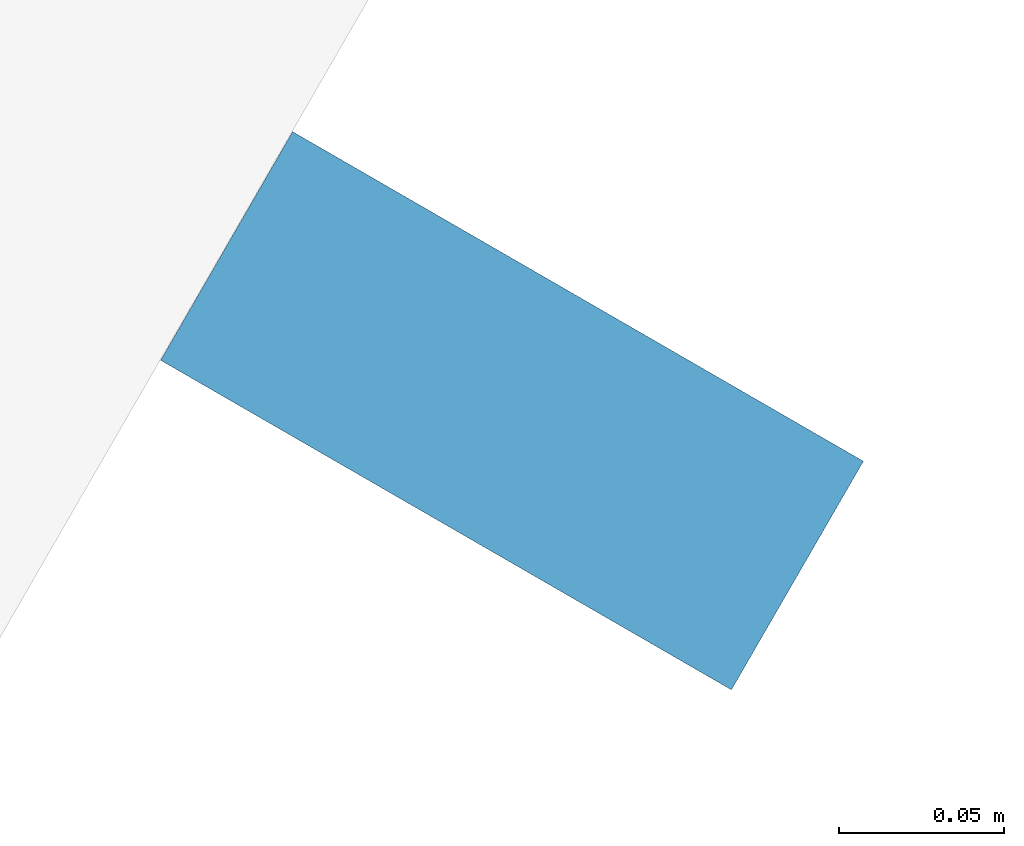
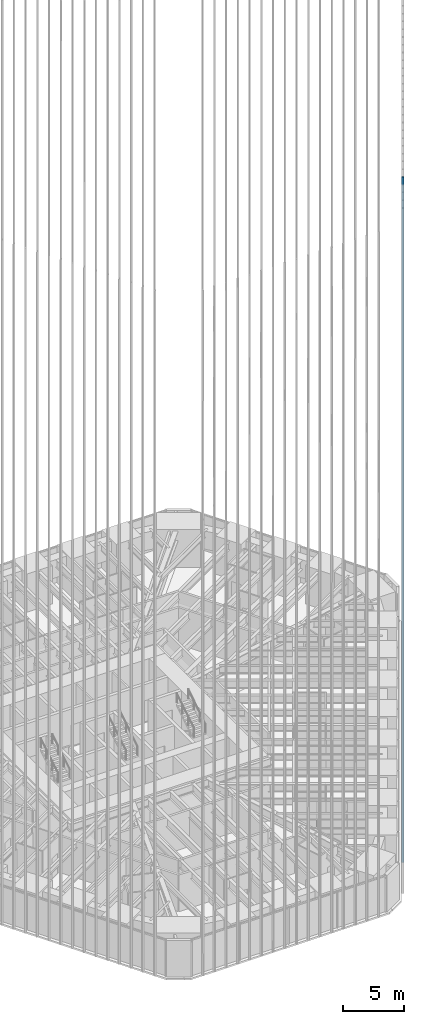
# One storey, part 86 of 256: 1 member, 1 element without a shape of its own.
"""IFC4 building model written with IfcOpenShell, lengths in metres."""

from ifc_helpers import new_model, si_unit, direction, frame, origin, origin_2d, place, context, subcontext, project, spatial, rectangle, extrude, material, material_profile, profile_set, type_object, element, aggregate, save


model = new_model("IFC4")

# Units and contexts
model_context = context("Model", 3, precision=1e-05, world=origin(), true_north=direction((0.0, 1.0)))
body_context = subcontext(model_context, "Body", "Model", "MODEL_VIEW")
ifc_project = project(units=[si_unit("LENGTHUNIT", "METRE"), si_unit("AREAUNIT", "SQUARE_METRE"), si_unit("VOLUMEUNIT", "CUBIC_METRE"), si_unit("PLANEANGLEUNIT", "RADIAN"), si_unit("MASSUNIT", "GRAM", prefix="KILO")], contexts=[model_context])

# Site, building, storey
site_placement = place(None, origin())
site = spatial("IfcSite", under=ifc_project, at=site_placement, CompositionType="ELEMENT")
building_placement = place(site_placement, origin())
building = spatial("IfcBuilding", under=site, at=building_placement, Name="Sandreach Pilgrim Tower", CompositionType="ELEMENT")
storey_placement = place(building_placement, frame((0.0, 0.0, 23.0)))
storey = spatial("IfcBuildingStorey", under=building, at=storey_placement, Name="L04", CompositionType="ELEMENT", Elevation=23.0)

# Curtain wall, member
ifc_material_1 = material(Name="Aluminium framed curtain wall", Category="aluminium")
curtain_wall_type = type_object("IfcCurtainWallType", Name="Hostel tower curtain wall", PredefinedType="NOTDEFINED", material=ifc_material_1)
curtain_wall_placement = place(storey_placement, origin())
curtain_wall = element("IfcCurtainWall", 1, at=curtain_wall_placement, inside=storey, type_object=curtain_wall_type, Name="CW-1 L04 SE", PredefinedType="NOTDEFINED")
ifc_material_2 = material(Name="Extruded terracotta on aluminium core", Category="masonry")
ifc_material_profile = material_profile(ifc_material_2, rectangle(XDim=0.080078125, YDim=0.199951171875, at=origin_2d()), Name="TBE 80X200")
ifc_profile_set = profile_set([ifc_material_profile], Name="Extruded terracotta on aluminium core")
member_type = type_object("IfcMemberType", Name="Terracotta baguette east", PredefinedType="USERDEFINED", material=ifc_profile_set)
member_placement = place(storey_placement, frame((13.8994140625, -24.623046875, 0.0), z_axis=(0.0, 0.0, 1.0), x_axis=(-0.5, -0.866025403784, 0.0)))
member = element("IfcMember", 2, at=member_placement, type_object=member_type, Name="Baguette Z1 SE31", ObjectType="BAGUETTE", PredefinedType="USERDEFINED", context=body_context, shape_type="SweptSolid", body=[
    extrude(rectangle(XDim=0.080078125, YDim=0.199951171875, at=origin_2d()), origin(), (0.0, 0.0, 1.0), 68.239990234375),
])
aggregate(curtain_wall, [member])

save(model, "model.ifc")
